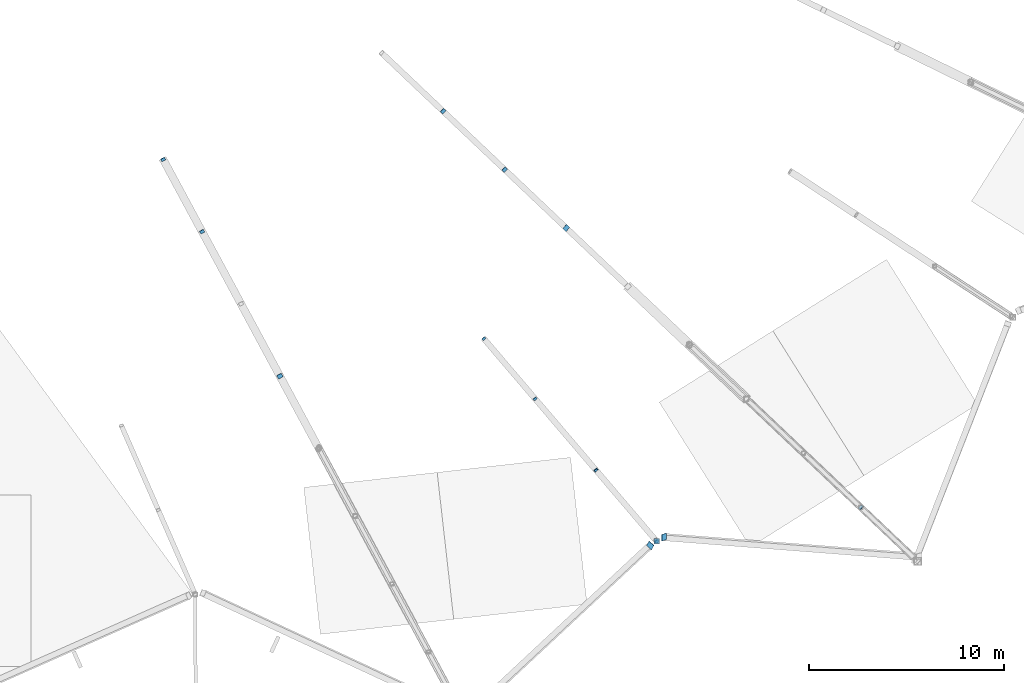
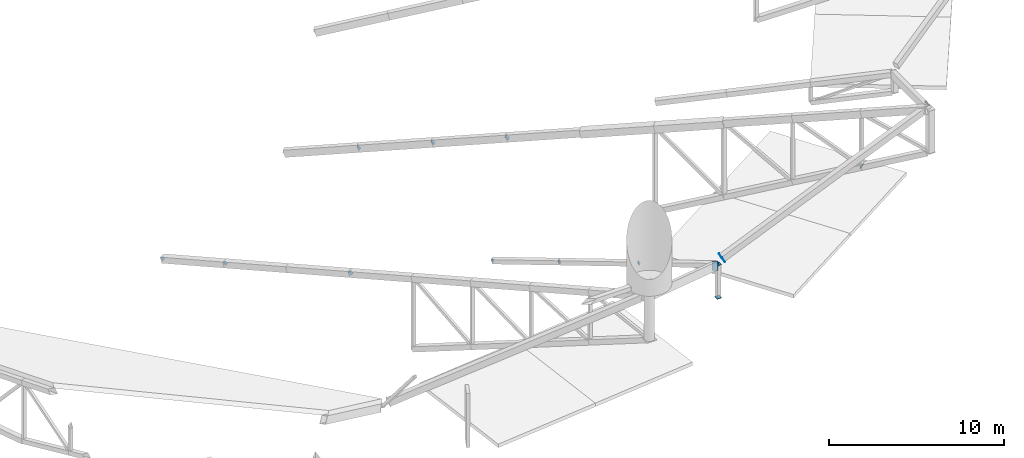
# One storey, part 142 of 188: 16 discrete accessories.
"""IFC4 building model written with IfcOpenShell, lengths in metres."""

from ifc_helpers import new_model, si_unit, direction, frame, origin, origin_2d, place, context, subcontext, project, spatial, rectangle, extrude, material, material_profile, profile_set, type_object, element, save


model = new_model("IFC4")

# Units and contexts
model_context = context("Model", 3, precision=1e-05, world=origin(), true_north=direction((0.0, 1.0)))
body_context = subcontext(model_context, "Body", "Model", "MODEL_VIEW")
ifc_project = project(units=[si_unit("LENGTHUNIT", "METRE"), si_unit("AREAUNIT", "SQUARE_METRE"), si_unit("VOLUMEUNIT", "CUBIC_METRE"), si_unit("PLANEANGLEUNIT", "RADIAN"), si_unit("MASSUNIT", "GRAM", prefix="KILO")], contexts=[model_context])

# Site, building, storey
site_placement = place(None, origin())
site = spatial("IfcSite", under=ifc_project, at=site_placement, CompositionType="ELEMENT")
building_placement = place(site_placement, origin())
building = spatial("IfcBuilding", under=site, at=building_placement, Name="Meseta Stadium", CompositionType="ELEMENT")
storey_placement = place(building_placement, frame((0.0, 0.0, 30.0)))
storey = spatial("IfcBuildingStorey", under=building, at=storey_placement, Name="ROOF", CompositionType="ELEMENT", Elevation=30.0)

# Discrete accessories
ifc_material_1 = material(Name="Steel S355", Category="steel")
ifc_material_profile_1 = material_profile(ifc_material_1, rectangle(XDim=0.179931640625, YDim=0.179931640625, at=origin_2d()), Name="PL 180x180")
ifc_profile_set_1 = profile_set([ifc_material_profile_1], Name="Steel S355")
discrete_accessory_type_1 = type_object("IfcDiscreteAccessoryType", Name="End plate 180x180x20", PredefinedType="ANCHORPLATE", material=ifc_profile_set_1)
for number, where, z_axis, x_axis, name in (
    (1, (53.164794921875, -85.452392578125, 0.67333984375), (0.514457157149, -0.600200016674, 0.612448996606), (0.759256602365, 0.650791373456, 0.0), "End plate of ROOF TRUSS RT-51 diagonal"),
    (2, (55.799560546875, -88.541748046875, 1.545654296875), (0.510602919511, -0.595703406096, 0.620017830835), (0.759256602365, 0.650791373456, 0.0), "End plate of ROOF TRUSS RT-51 diagonal"),
    (3, (58.925537109375, -92.207275390625, 2.580810546875), (0.535709697438, -0.620936240212, 0.572235358627), (0.757156729179, 0.653233256547, 0.0), "End plate of ROOF TRUSS RT-51 diagonal"),
    (4, (62.051513671875, -95.872802734375, 3.615966796875), (0.535709697438, -0.620936240212, 0.572235358627), (0.757156729179, 0.653233256547, 0.0), "End plate of ROOF TRUSS RT-51 diagonal"),
):
    element("IfcDiscreteAccessory", number, at=place(storey_placement, frame(where, z_axis=z_axis, x_axis=x_axis)), inside=storey, type_object=discrete_accessory_type_1, Name=name, PredefinedType="ANCHORPLATE", context=body_context, shape_type="SweptSolid", body=[
        extrude(rectangle(XDim=0.179931640625, YDim=0.179931640625, at=origin_2d()), origin(), (0.0, 0.0, 1.0), 0.02001953125),
    ])
ifc_material_2 = material(Name="Steel S355", Category="steel")
ifc_material_profile_2 = material_profile(ifc_material_2, rectangle(XDim=0.219970703125, YDim=0.219970703125, at=origin_2d()), Name="PL 220x220")
ifc_profile_set_2 = profile_set([ifc_material_profile_2], Name="Steel S355")
discrete_accessory_type_2 = type_object("IfcDiscreteAccessoryType", Name="End plate 220x220x20", PredefinedType="ANCHORPLATE", material=ifc_profile_set_2)
for number, where, z_axis, x_axis, name in (
    (5, (36.682373046875, -76.239013671875, 0.993896484375), (0.35495423559, -0.673189067498, 0.648709465044), (0.884569100485, 0.466409162074, 0.0), "End plate of ROOF TRUSS RT-50 diagonal"),
    (6, (38.682373046875, -79.9521484375, 2.210205078125), (0.340830394523, -0.620798218596, 0.706005817226), (0.87657855078, 0.481258812193, 0.0), "End plate of ROOF TRUSS RT-50 diagonal"),
):
    element("IfcDiscreteAccessory", number, at=place(storey_placement, frame(where, z_axis=z_axis, x_axis=x_axis)), inside=storey, type_object=discrete_accessory_type_2, Name=name, PredefinedType="ANCHORPLATE", context=body_context, shape_type="SweptSolid", body=[
        extrude(rectangle(XDim=0.219970703125, YDim=0.219970703125, at=origin_2d()), origin(), (0.0, 0.0, 1.0), 0.02001953125),
    ])
ifc_material_3 = material(Name="Steel S355", Category="steel")
ifc_material_profile_3 = material_profile(ifc_material_3, rectangle(XDim=0.239990234375, YDim=0.239990234375, at=origin_2d()), Name="PL 240x240")
ifc_profile_set_3 = profile_set([ifc_material_profile_3], Name="Steel S355")
discrete_accessory_type_3 = type_object("IfcDiscreteAccessoryType", Name="End plate 240x240x20", PredefinedType="ANCHORPLATE", material=ifc_profile_set_3)
for number, where, z_axis, x_axis, name in (
    (7, (51.068603515625, -73.761474609375, 2.216552734375), (0.526666628688, -0.502170506424, 0.685891423408), (0.690075333573, 0.723737544967, 0.0), "End plate of ROOF TRUSS RT-52 diagonal"),
    (8, (54.234375, -76.763916015625, 3.281005859375), (0.490732904812, -0.466196259571, 0.736099357218), (0.688749461915, 0.724999433594, 0.0), "End plate of ROOF TRUSS RT-52 diagonal"),
):
    element("IfcDiscreteAccessory", number, at=place(storey_placement, frame(where, z_axis=z_axis, x_axis=x_axis)), inside=storey, type_object=discrete_accessory_type_3, Name=name, PredefinedType="ANCHORPLATE", context=body_context, shape_type="SweptSolid", body=[
        extrude(rectangle(XDim=0.239990234375, YDim=0.239990234375, at=origin_2d()), origin(), (0.0, 0.0, 1.0), 0.02001953125),
    ])
discrete_accessory_1_placement = place(storey_placement, frame((72.538818359375, -94.1240234375, 5.73193359375), z_axis=(0.601555381629, -0.577002100746, -0.552448819863), x_axis=(0.692225183729, 0.721681574526, 0.0)))
element("IfcDiscreteAccessory", 9, at=discrete_accessory_1_placement, inside=storey, type_object=discrete_accessory_type_3, Name="End plate of ROOF TRUSS RT-52 diagonal", PredefinedType="ANCHORPLATE", context=body_context, shape_type="SweptSolid", body=[
    extrude(rectangle(XDim=0.239990234375, YDim=0.239990234375, at=origin_2d()), origin(), (0.0, 0.0, 1.0), 0.019775390625),
])
ifc_material_4 = material(Name="Steel S355", Category="steel")
ifc_material_profile_4 = material_profile(ifc_material_4, rectangle(XDim=0.260009765625, YDim=0.260009765625, at=origin_2d()), Name="PL 260x260")
ifc_profile_set_4 = profile_set([ifc_material_profile_4], Name="Steel S355")
discrete_accessory_type_4 = type_object("IfcDiscreteAccessoryType", Name="End plate 260x260x20", PredefinedType="ANCHORPLATE", material=ifc_profile_set_4)
discrete_accessory_2_placement = place(storey_placement, frame((42.682373046875, -87.3779296875, 4.643310546875), z_axis=(0.305195937649, -0.561560525275, 0.769093762876), x_axis=(0.878624509573, 0.47751332042, 0.0)))
element("IfcDiscreteAccessory", 10, at=discrete_accessory_2_placement, inside=storey, type_object=discrete_accessory_type_4, Name="End plate of ROOF TRUSS RT-50 diagonal", PredefinedType="ANCHORPLATE", context=body_context, shape_type="SweptSolid", body=[
    extrude(rectangle(XDim=0.260009765625, YDim=0.260009765625, at=origin_2d()), origin(), (0.0, 0.0, 1.0), 0.02001953125),
])
ifc_material_5 = material(Name="Steel S355", Category="steel")
ifc_material_profile_5 = material_profile(ifc_material_5, rectangle(XDim=0.2900390625, YDim=0.2900390625, at=origin_2d()), Name="PL 290x290")
ifc_profile_set_5 = profile_set([ifc_material_profile_5], Name="Steel S355")
discrete_accessory_type_5 = type_object("IfcDiscreteAccessoryType", Name="End plate 290x290x20", PredefinedType="ANCHORPLATE", material=ifc_profile_set_5)
for number, where, z_axis, x_axis, name in (
    (11, (62.051513671875, -95.872802734375, 1.2958984375), (0.0, 0.0, 1.0), (1.0, 0.0, 0.0), "End plate of ROOF TRUSS RT-51 post"),
    (12, (62.051513671875, -95.872802734375, 3.615966796875), (0.0, 0.0, 1.0), (1.0, 0.0, 0.0), "End plate of ROOF TRUSS RT-51 post"),
):
    element("IfcDiscreteAccessory", number, at=place(storey_placement, frame(where, z_axis=z_axis, x_axis=x_axis)), inside=storey, type_object=discrete_accessory_type_5, Name=name, PredefinedType="ANCHORPLATE", context=body_context, shape_type="SweptSolid", body=[
        extrude(rectangle(XDim=0.2900390625, YDim=0.2900390625, at=origin_2d()), origin(), (0.0, 0.0, 1.0), 0.02001953125),
    ])
discrete_accessory_3_placement = place(storey_placement, frame((57.39990234375, -79.766357421875, 4.345703125), z_axis=(0.468315665525, -0.443667472602, 0.764093980593), x_axis=(0.687744647911, 0.725952683906, 0.0)))
element("IfcDiscreteAccessory", 13, at=discrete_accessory_3_placement, inside=storey, type_object=discrete_accessory_type_5, Name="End plate of ROOF TRUSS RT-52 diagonal", PredefinedType="ANCHORPLATE", context=body_context, shape_type="SweptSolid", body=[
    extrude(rectangle(XDim=0.2900390625, YDim=0.2900390625, at=origin_2d()), origin(), (0.0, 0.0, 1.0), 0.019775390625),
])
discrete_accessory_4_placement = place(storey_placement, frame((62.051513671875, -95.872802734375, 1.31591796875), z_axis=(0.0, 0.0, 1.0), x_axis=(1.0, 0.0, 0.0)))
element("IfcDiscreteAccessory", 14, at=discrete_accessory_4_placement, inside=storey, type_object=discrete_accessory_type_5, Name="End plate of ROOF RIM POST RT-51", PredefinedType="ANCHORPLATE", context=body_context, shape_type="SweptSolid", body=[
    extrude(rectangle(XDim=0.2900390625, YDim=0.2900390625, at=origin_2d()), origin(), (0.0, 0.0, 1.0), 0.02001953125),
])
ifc_material_6 = material(Name="Steel S355", Category="steel")
ifc_material_profile_6 = material_profile(ifc_material_6, rectangle(XDim=0.340087890625, YDim=0.5400390625, at=origin_2d()), Name="PL 340x540")
ifc_profile_set_6 = profile_set([ifc_material_profile_6], Name="Steel S355")
discrete_accessory_type_6 = type_object("IfcDiscreteAccessoryType", Name="End plate 340x540x20", PredefinedType="ANCHORPLATE", material=ifc_profile_set_6)
for number, where, z_axis, x_axis, name in (
    (15, (61.717529296875, -96.091552734375, 3.7646484375), (0.648563736756, 0.611852581845, -0.452770910566), (-0.727063548763, 0.674031083893, -0.130616591616), "End plate of RIM RING BEAM 51"),
    (16, (62.422119140625, -95.656494140625, 3.801025390625), (0.890310108805, -0.060980144439, 0.451253068847), (-0.011704598086, 0.987600304835, 0.156552356336), "End plate of RIM RING BEAM 52"),
):
    element("IfcDiscreteAccessory", number, at=place(storey_placement, frame(where, z_axis=z_axis, x_axis=x_axis)), inside=storey, type_object=discrete_accessory_type_6, Name=name, PredefinedType="ANCHORPLATE", context=body_context, shape_type="SweptSolid", body=[
        extrude(rectangle(XDim=0.340087890625, YDim=0.5400390625, at=origin_2d()), origin(), (0.0, 0.0, 1.0), 0.02001953125),
    ])

save(model, "model.ifc")
